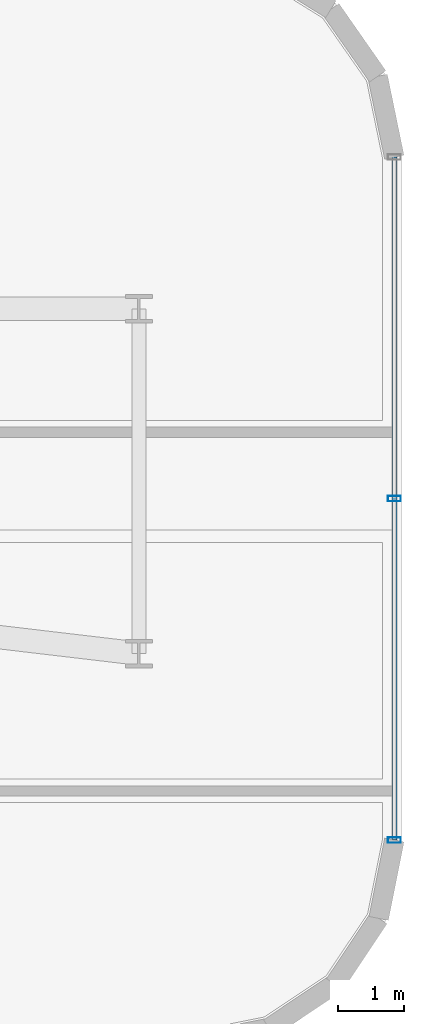
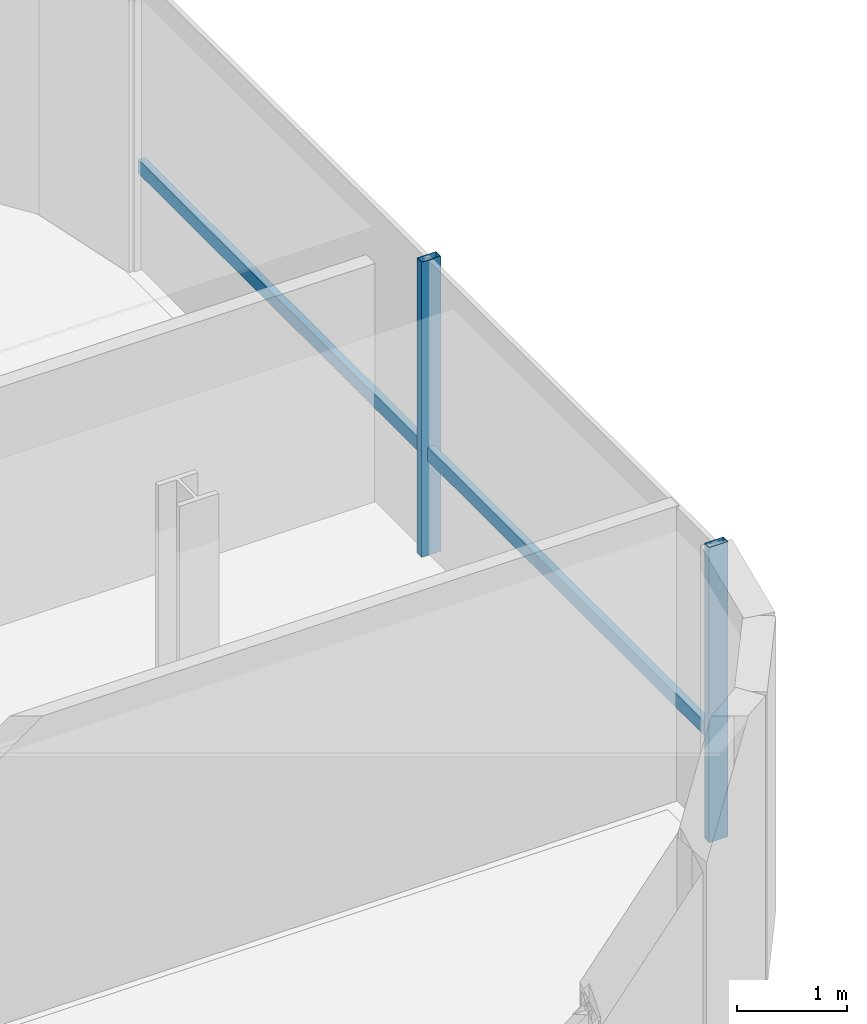
# One storey, part 12 of 22: 3 members, 1 element without a shape of its own.
"""IFC4 building model written with IfcOpenShell, lengths in metres."""

from ifc_helpers import new_model, si_unit, direction, frame, origin, origin_2d, place, context, subcontext, project, spatial, hollow_rectangle, extrude, source, transform, mapped, material, material_profile, profile_set, type_object, element, aggregate, save


model = new_model("IFC4")

# Units and contexts
model_context = context("Model", 3, precision=1e-05, world=origin(), true_north=direction((0.0, 1.0)))
body_context = subcontext(model_context, "Body", "Model", "MODEL_VIEW")
ifc_project = project(units=[si_unit("LENGTHUNIT", "METRE"), si_unit("AREAUNIT", "SQUARE_METRE"), si_unit("VOLUMEUNIT", "CUBIC_METRE"), si_unit("PLANEANGLEUNIT", "RADIAN"), si_unit("MASSUNIT", "GRAM", prefix="KILO")], contexts=[model_context])

# Site, building, storey
site_placement = place(None, origin())
site = spatial("IfcSite", under=ifc_project, at=site_placement, CompositionType="ELEMENT")
building_placement = place(site_placement, origin())
building = spatial("IfcBuilding", under=site, at=building_placement, Name="Valdorenza Pilgrim Sanctuary Tower", CompositionType="ELEMENT")
storey_placement = place(building_placement, frame((0.0, 0.0, 233.5)))
storey = spatial("IfcBuildingStorey", under=building, at=storey_placement, Name="L60", CompositionType="ELEMENT", Elevation=233.5)

# Curtain wall, members
ifc_material_1 = material(Name="Curtain-wall IGU glazing", Category="glass")
curtain_wall_type = type_object("IfcCurtainWallType", Name="CW-SYS-02", PredefinedType="NOTDEFINED", material=ifc_material_1)
curtain_wall_placement = place(storey_placement, origin())
curtain_wall = element("IfcCurtainWall", 1, at=curtain_wall_placement, inside=storey, type_object=curtain_wall_type, Name="L60 Curtain Wall CW-L60-1-11", PredefinedType="NOTDEFINED")
ifc_material_2 = material(Name="Anodised aluminium AW-6060", Category="aluminium")
ifc_material_profile_1 = material_profile(ifc_material_2, hollow_rectangle(XDim=0.0849609375, YDim=0.199951171875, WallThickness=0.0048828125, at=origin_2d()), Name="ALU-M 200x85x5")
ifc_profile_set_1 = profile_set([ifc_material_profile_1], Name="Anodised aluminium AW-6060")
member_type_1 = type_object("IfcMemberType", Name="CW-MUL-02", PredefinedType="MULLION", material=ifc_profile_set_1)
shared_shape_1 = source(origin(), body_context, "Body", "SweptSolid", [
    extrude(hollow_rectangle(XDim=0.0849609375, YDim=0.199951171875, WallThickness=0.0048828125, at=origin_2d()), origin(), (0.0, 0.0, 1.0), 3.260009765625),
])
member_1_placement = place(storey_placement, frame((0.389892578125, 11.9111328125, 0.0), z_axis=(0.0, 0.0, 1.0), x_axis=(0.0, -1.0, 0.0)))
member_1 = element("IfcMember", 2, at=member_1_placement, type_object=member_type_1, Name="CW-L60-1-11 Mullion 2", PredefinedType="MULLION", context=body_context, shape_type="MappedRepresentation", body=[
    mapped(shared_shape_1, transform((0.0, 0.0, 0.0), x_axis=(1.0, 0.0, 0.0), y_axis=(0.0, 1.0, 0.0), z_axis=(0.0, 0.0, 1.0), scale=1.0)),
])
member_2_placement = place(storey_placement, frame((0.389892578125, 6.710693359375, 0.0), z_axis=(0.0, 0.0, 1.0), x_axis=(0.0, -1.0, 0.0)))
member_2 = element("IfcMember", 3, at=member_2_placement, type_object=member_type_1, Name="CW-L60-1-11 Mullion 3", PredefinedType="MULLION", context=body_context, shape_type="MappedRepresentation", body=[
    mapped(shared_shape_1, transform((0.0, 0.0, 0.0), x_axis=(1.0, 0.0, 0.0), y_axis=(0.0, 1.0, 0.0), z_axis=(0.0, 0.0, 1.0), scale=1.0)),
])
ifc_material_profile_2 = material_profile(ifc_material_2, hollow_rectangle(XDim=0.074951171875, YDim=0.14990234375, WallThickness=0.00390625, at=origin_2d()), Name="ALU-T 150x75x4")
ifc_profile_set_2 = profile_set([ifc_material_profile_2], Name="Anodised aluminium AW-6060")
member_type_2 = type_object("IfcMemberType", Name="CW-TRN-02", PredefinedType="USERDEFINED", material=ifc_profile_set_2)
shared_shape_2 = source(origin(), body_context, "Body", "SweptSolid", [
    extrude(hollow_rectangle(XDim=0.074951171875, YDim=0.14990234375, WallThickness=0.00390625, at=origin_2d()), origin(), (0.0, 0.0, 1.0), 10.400634765625),
])
member_3_placement = place(storey_placement, frame((0.389892578125, 17.111328125, 1.1201171875), z_axis=(0.0, -1.0, 0.0), x_axis=(1.0, 0.0, 0.0)))
member_3 = element("IfcMember", 4, at=member_3_placement, type_object=member_type_2, Name="CW-L60-1-11 Transom 1", ObjectType="TRANSOM", PredefinedType="USERDEFINED", context=body_context, shape_type="MappedRepresentation", body=[
    mapped(shared_shape_2, transform((0.0, 0.0, 0.0), x_axis=(1.0, 0.0, 0.0), y_axis=(0.0, 1.0, 0.0), z_axis=(0.0, 0.0, 1.0), scale=1.0)),
])
aggregate(curtain_wall, [member_1, member_2, member_3])

save(model, "model.ifc")
